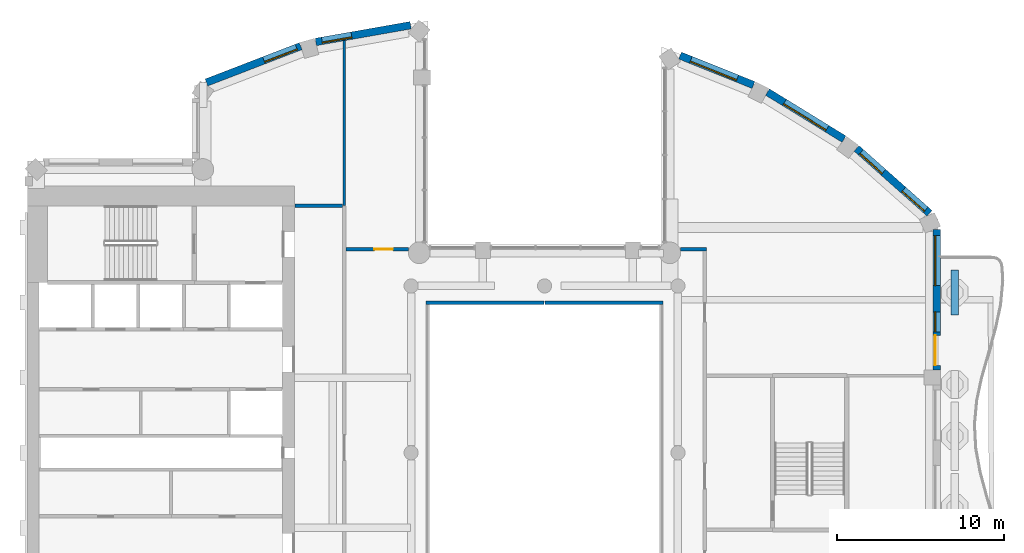
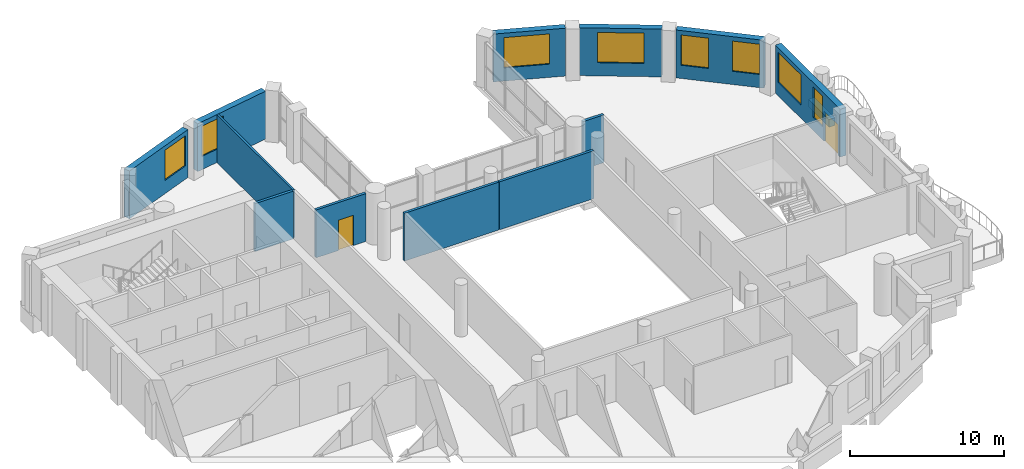
# One storey, part 8 of 15: 13 walls, 8 windows, 2 doors, 10 openings.
"""IFC4 building model written with IfcOpenShell, lengths in metres."""

import ifcopenshell
import ifcopenshell.guid

model = None  # the IFC model being written
_history = None  # IfcOwnerHistory: only IFC2X3 demands one
_inside = {}  # id of a spatial element -> (the spatial element, [elements in it])
_under = {}  # id of a project, library or spatial element -> (it, [spatial elements below it])
_declared = {}  # id of a project -> (the project, [libraries it declares])
_typed = {}  # id of a type object -> (the type object, [elements of that type])
_made_of = {}  # id of a material, layer set ... -> (it, [elements and type objects made of it])


def new_model(schema):
    """Start an empty IFC model of exactly this schema.

    Asked for "IFC4X3", IfcOpenShell would pick the latest addendum, in which some entities
    have other attributes; the version numbers below select the first issue.
    IFC2X3 requires an IfcOwnerHistory on every rooted entity: one is made here for all.
    """
    global model, _history
    if schema == "IFC4X3":
        model = ifcopenshell.file(schema_version=(4, 3, 0, 0))
    else:
        model = ifcopenshell.file(schema=schema)
    _inside.clear()
    _under.clear()
    _declared.clear()
    _typed.clear()
    _made_of.clear()
    _history = None
    if model.schema == "IFC2X3":
        org = make("IfcOrganization", Name="unknown")
        user = make(
            "IfcPersonAndOrganization",
            ThePerson=make("IfcPerson", FamilyName="unknown"),
            TheOrganization=org,
        )
        app = make(
            "IfcApplication",
            ApplicationDeveloper=org,
            Version="unknown",
            ApplicationFullName="unknown",
            ApplicationIdentifier="unknown",
        )
        _history = make(
            "IfcOwnerHistory",
            OwningUser=user,
            OwningApplication=app,
            ChangeAction="ADDED",
            CreationDate=0,
        )
    return model


def make(cls, **values):
    """One entity of the class cls with the attributes given. An attribute that is None is left unset."""
    return model.create_entity(
        cls, **{name: value for name, value in values.items() if value is not None}
    )


def rooted(cls, **values):
    """An entity with a GlobalId (a new one), such as an element, a storey or a relation."""
    return make(cls, GlobalId=ifcopenshell.guid.new(), OwnerHistory=_history, **values)


def si_unit(unit_type, name, prefix=None):
    """IfcSIUnit, for example si_unit("LENGTHUNIT", "METRE", prefix="MILLI")."""
    return make("IfcSIUnit", UnitType=unit_type, Prefix=prefix, Name=name)


def assignment(units):
    """IfcUnitAssignment: the units of a project."""
    return None if units is None else make("IfcUnitAssignment", Units=units)


def point(xyz):
    """IfcCartesianPoint."""
    return None if xyz is None else make("IfcCartesianPoint", Coordinates=xyz)


def direction(xyz):
    """IfcDirection."""
    return None if xyz is None else make("IfcDirection", DirectionRatios=xyz)


def frame(location, z_axis=None, x_axis=None):
    """IfcAxis2Placement3D, a coordinate frame: its origin and axes. An axis left out is left unset."""
    return make(
        "IfcAxis2Placement3D",
        Location=point(location),
        Axis=direction(z_axis),
        RefDirection=direction(x_axis),
    )


def frame_2d(location, x_axis=None):
    """IfcAxis2Placement2D, a coordinate frame in the plane: its origin and x axis."""
    return make(
        "IfcAxis2Placement2D", Location=point(location), RefDirection=direction(x_axis)
    )


def origin():
    """The frame at (0, 0, 0) with its axes left unset."""
    return frame((0.0, 0.0, 0.0))


def place(relative_to, where):
    """IfcLocalPlacement: puts the frame where relative to a parent placement (None: the world)."""
    return make(
        "IfcLocalPlacement", PlacementRelTo=relative_to, RelativePlacement=where
    )


def context(
    kind, dimensions, precision=None, world=None, true_north=None, identifier=None
):
    """IfcGeometricRepresentationContext, for example the 3D "Model" context."""
    return make(
        "IfcGeometricRepresentationContext",
        ContextIdentifier=identifier,
        ContextType=kind,
        CoordinateSpaceDimension=dimensions,
        Precision=precision,
        WorldCoordinateSystem=world,
        TrueNorth=true_north,
    )


def subcontext(parent, identifier, kind, view, scale=None):
    """IfcGeometricRepresentationSubContext, for example "Body" below "Model"."""
    return make(
        "IfcGeometricRepresentationSubContext",
        ContextIdentifier=identifier,
        ContextType=kind,
        ParentContext=parent,
        TargetScale=scale,
        TargetView=view,
    )


def project(units=None, contexts=None):
    """IfcProject with its units and contexts."""
    return rooted(
        "IfcProject",
        Name="project",
        RepresentationContexts=contexts,
        UnitsInContext=assignment(units),
    )


def spatial(cls, under=None, at=None, **own):
    """A site, building, storey or space (cls), placed at a placement, below another one or the project."""
    s = rooted(cls, ObjectPlacement=at, **own)
    if under is not None:
        _under.setdefault(under.id(), (under, []))[1].append(s)
    return s


def profile(cls, at=None, kind="AREA", **sizes):
    """A parametric profile (cls). Its sizes go by their IFC names, for example OverallWidth=200.0."""
    return make(cls, ProfileType=kind, Position=at, **sizes)


def rectangle(**sizes):
    """IfcRectangleProfileDef."""
    return profile("IfcRectangleProfileDef", **sizes)


def extrude(swept, where, along, depth):
    """IfcExtrudedAreaSolid: the profile swept, set in the frame where, extruded along a direction by depth."""
    return make(
        "IfcExtrudedAreaSolid",
        SweptArea=swept,
        Position=where,
        ExtrudedDirection=direction(along),
        Depth=depth,
    )


def shape(context_of_items, identifier, shape_type, items):
    """IfcShapeRepresentation: the items that make up one representation, for example the "Body"."""
    return make(
        "IfcShapeRepresentation",
        ContextOfItems=context_of_items,
        RepresentationIdentifier=identifier,
        RepresentationType=shape_type,
        Items=items,
    )


def material(Name=None, Category=None):
    """IfcMaterial."""
    return make("IfcMaterial", Name=Name, Category=Category)


def layer(
    of_material, thickness, ventilated=None, Name=None, Category=None, Priority=None
):
    """IfcMaterialLayer: one layer of a wall or slab, of a material (None: an air gap)."""
    return make(
        "IfcMaterialLayer",
        Material=of_material,
        LayerThickness=thickness,
        IsVentilated=ventilated,
        Name=Name,
        Category=Category,
        Priority=Priority,
    )


def layer_set(layers, Name=None):
    """IfcMaterialLayerSet."""
    return make("IfcMaterialLayerSet", MaterialLayers=layers, LayerSetName=Name)


def made_of(thing, what):
    """Note that an element or type object is made of a material, layer set ...; save() writes the relation."""
    if what is not None:
        _made_of.setdefault(what.id(), (what, []))[1].append(thing)
    return thing


def type_object(cls, material=None, **own):
    """A type object (cls), such as IfcWallType, which elements share."""
    return made_of(rooted(cls, **own), material)


def element(
    cls,
    number,
    at=None,
    inside=None,
    cuts=None,
    type_object=None,
    material=None,
    context=None,
    identifier="Body",
    shape_type=None,
    held_by="IfcProductDefinitionShape",
    body=None,
    shapes=None,
    **own,
):
    """One element of the class cls, such as IfcWall. Its Tag is "e" and its number.

    at: its placement. inside: the storey or other place that contains it. cuts: it is an
    opening in that element (IfcRelVoidsElement). A single representation is given by context,
    identifier, shape_type and body (its items); several are given by shapes. held_by: the class
    of the entity that holds the representations. save() writes the other relations.
    """
    e = rooted(cls, Tag="e%d" % number, ObjectPlacement=at, **own)
    if body is not None:
        shapes = [shape(context, identifier, shape_type, body)]
    if shapes is not None:
        e.Representation = make(held_by, Representations=shapes)
    if inside is not None:
        _inside.setdefault(inside.id(), (inside, []))[1].append(e)
    if cuts is not None:
        rooted(
            "IfcRelVoidsElement", RelatingBuildingElement=cuts, RelatedOpeningElement=e
        )
    if type_object is not None:
        _typed.setdefault(type_object.id(), (type_object, []))[1].append(e)
    return made_of(e, material)


def fill(opening, filler):
    """IfcRelFillsElement: the door or window that sits in an opening."""
    return rooted(
        "IfcRelFillsElement",
        RelatingOpeningElement=opening,
        RelatedBuildingElement=filler,
    )


def aggregate(whole, parts):
    """IfcRelAggregates: a whole, such as a stair, and the parts it consists of."""
    return rooted("IfcRelAggregates", RelatingObject=whole, RelatedObjects=parts)


def save(model, path):
    """Write the relations noted so far, then the file.

    IfcRelAggregates (storeys below a building ...), IfcRelContainedInSpatialStructure (elements
    in a storey), IfcRelDefinesByType, IfcRelAssociatesMaterial and IfcRelDeclares: one each for
    every whole, place, type object, material and project.
    """
    for whole, parts in _under.values():
        aggregate(whole, parts)
    for where, things in _inside.values():
        rooted(
            "IfcRelContainedInSpatialStructure",
            RelatedElements=things,
            RelatingStructure=where,
        )
    for kind, things in _typed.values():
        rooted("IfcRelDefinesByType", RelatedObjects=things, RelatingType=kind)
    for what, things in _made_of.values():
        rooted("IfcRelAssociatesMaterial", RelatedObjects=things, RelatingMaterial=what)
    for by, libraries in _declared.values():
        rooted("IfcRelDeclares", RelatingContext=by, RelatedDefinitions=libraries)
    model.write(path)


model = new_model("IFC4")

# Units and contexts
model_context = context("Model", 3, precision=1e-05, world=origin(), true_north=direction((0.0, 1.0)))
body_context = subcontext(model_context, "Body", "Model", "MODEL_VIEW")
ifc_project = project(units=[si_unit("LENGTHUNIT", "METRE"), si_unit("AREAUNIT", "SQUARE_METRE"), si_unit("VOLUMEUNIT", "CUBIC_METRE"), si_unit("PLANEANGLEUNIT", "RADIAN"), si_unit("MASSUNIT", "GRAM", prefix="KILO")], contexts=[model_context])

# Site, building, storey
site_placement = place(None, origin())
site = spatial("IfcSite", under=ifc_project, at=site_placement, CompositionType="ELEMENT")
building_placement = place(site_placement, origin())
building = spatial("IfcBuilding", under=site, at=building_placement, Name="Cypress Arch Tower", CompositionType="ELEMENT")
storey_placement = place(building_placement, frame((0.0, 0.0, 243.39990234375)))
storey = spatial("IfcBuildingStorey", under=building, at=storey_placement, Name="L54", CompositionType="ELEMENT", Elevation=243.39990234375)

# Wall
ifc_material_1 = material(Name="Concrete C40/50, waterproofed", Category="concrete")
ifc_layer_1 = layer(ifc_material_1, 0.449951171875)
ifc_layer_set_1 = layer_set([ifc_layer_1], Name="Balcony planter wall PW450")
wall_type_1 = type_object("IfcWallType", Name="Balcony planter wall PW450", PredefinedType="SOLIDWALL", material=ifc_layer_set_1)
wall_1_placement = place(storey_placement, frame((25.60009765625, 8.25, 0.0), z_axis=(0.0, 0.0, 1.0), x_axis=(0.0, 1.0, 0.0)))
element("IfcWall", 1, at=wall_1_placement, inside=storey, type_object=wall_type_1, Name="Balcony planter wall L54-C17.5", PredefinedType="SOLIDWALL", context=body_context, shape_type="SweptSolid", body=[
    extrude(rectangle(XDim=2.699951171875, YDim=0.449951171875, at=frame_2d((1.35009765625, 0.0))), origin(), (0.0, 0.0, 1.0), 0.60009765625),
])

# Wall, opening, window
ifc_material_2 = material(Name="Brick (red buff blend)", Category="masonry")
ifc_layer_2 = layer(ifc_material_2, 0.449951171875)
ifc_layer_set_2 = layer_set([ifc_layer_2], Name="Brick pier and spandrel wall BW450")
wall_type_2 = type_object("IfcWallType", Name="Brick pier and spandrel wall BW450", PredefinedType="SOLIDWALL", material=ifc_layer_set_2)
wall_2_placement = place(storey_placement, frame((-7.028564453125, 25.63232421875, 0.0), z_axis=(0.0, 0.0, 1.0), x_axis=(-0.984797606634, -0.173705710808, 0.0)))
wall_2 = element("IfcWall", 2, at=wall_2_placement, inside=storey, type_object=wall_type_2, Name="Brick wall L54 C03.0", PredefinedType="SOLIDWALL", context=body_context, shape_type="SweptSolid", body=[
    extrude(rectangle(XDim=5.772216796875, YDim=0.449951171875, at=frame_2d((2.88623046875, 0.0))), origin(), (0.0, 0.0, 1.0), 3.800048828125),
])
opening_1_placement = place(wall_2_placement, frame((3.59326171875, 0.0, 1.050048828125)))
opening_1 = element("IfcOpeningElement", 3, at=opening_1_placement, cuts=wall_2, Name="Opening W180O", PredefinedType="OPENING", context=body_context, shape_type="SweptSolid", body=[
    extrude(rectangle(XDim=1.800048828125, YDim=2.39990234375, at=frame_2d((0.89990234375, 1.199951171875))), frame((0.0, 0.23486328125, 0.0), z_axis=(0.0, -1.0, 0.0), x_axis=(1.0, 0.0, 0.0)), (0.0, 0.0, 1.0), 0.469970703125),
])
ifc_material_3 = material(Name="Anodised aluminium, bronze finish, clear low-emissivity double glazing", Category="aluminium")
window_type_1 = type_object("IfcWindowType", Name="Window Office 1800x2400", PartitioningType="SINGLE_PANEL", PredefinedType="WINDOW", material=ifc_material_3)
window_1_placement = place(opening_1_placement, origin())
window_1 = element("IfcWindow", 4, at=window_1_placement, inside=storey, type_object=window_type_1, Name="Window L54 C03.0.2", OverallHeight=2.39990234375, OverallWidth=1.800048828125, PartitioningType="SINGLE_PANEL", PredefinedType="WINDOW", context=body_context, shape_type="SweptSolid", body=[
    extrude(rectangle(XDim=1.800048828125, YDim=2.39990234375, at=frame_2d((0.89990234375, 1.199951171875))), frame((0.0, 0.135009765625, 0.0), z_axis=(0.0, -1.0, 0.0), x_axis=(1.0, 0.0, 0.0)), (0.0, 0.0, 1.0), 0.06005859375),
])
fill(opening_1, window_1)

wall_3_placement = place(storey_placement, frame((-13.6220703125, 24.376953125, 0.0), z_axis=(0.0, 0.0, 1.0), x_axis=(-0.933129259679, -0.359541075164, 0.0)))
wall_3 = element("IfcWall", 5, at=wall_3_placement, inside=storey, type_object=wall_type_2, Name="Brick wall L54 C04.0", PredefinedType="SOLIDWALL", context=body_context, shape_type="SweptSolid", body=[
    extrude(rectangle(XDim=6.05419921875, YDim=0.449951171875, at=frame_2d((3.027099609375, 0.0))), origin(), (0.0, 0.0, 1.0), 3.800048828125),
])
opening_2_placement = place(wall_3_placement, frame((0.260986328125, 0.0, 1.050048828125)))
opening_2 = element("IfcOpeningElement", 6, at=opening_2_placement, cuts=wall_3, Name="Opening W210O", PredefinedType="OPENING", context=body_context, shape_type="SweptSolid", body=[
    extrude(rectangle(XDim=2.10009765625, YDim=2.39990234375, at=frame_2d((1.050048828125, 1.199951171875))), frame((0.0, 0.23486328125, 0.0), z_axis=(0.0, -1.0, 0.0), x_axis=(1.0, 0.0, 0.0)), (0.0, 0.0, 1.0), 0.469970703125),
])
ifc_material_4 = material(Name="Anodised aluminium, bronze finish, clear low-emissivity double glazing", Category="aluminium")
window_type_2 = type_object("IfcWindowType", Name="Window Office 2100x2400", PartitioningType="SINGLE_PANEL", PredefinedType="WINDOW", material=ifc_material_4)
window_2_placement = place(opening_2_placement, origin())
window_2 = element("IfcWindow", 7, at=window_2_placement, inside=storey, type_object=window_type_2, Name="Window L54 C04.0.1", OverallHeight=2.39990234375, OverallWidth=2.10009765625, PartitioningType="SINGLE_PANEL", PredefinedType="WINDOW", context=body_context, shape_type="SweptSolid", body=[
    extrude(rectangle(XDim=2.10009765625, YDim=2.39990234375, at=frame_2d((1.050048828125, 1.199951171875))), frame((0.0, 0.135009765625, 0.0), z_axis=(0.0, -1.0, 0.0), x_axis=(1.0, 0.0, 0.0)), (0.0, 0.0, 1.0), 0.06005859375),
])
fill(opening_2, window_2)

# Wall, openings, door, windows
wall_4_placement = place(storey_placement, frame((24.52490234375, 4.949951171875, 0.0), z_axis=(0.0, 0.0, 1.0), x_axis=(0.0, 1.0, 0.0)))
wall_4 = element("IfcWall", 8, at=wall_4_placement, inside=storey, type_object=wall_type_2, Name="Brick wall L54 C17.2", PredefinedType="SOLIDWALL", context=body_context, shape_type="SweptSolid", body=[
    extrude(rectangle(XDim=8.421875, YDim=0.449951171875, at=frame_2d((4.2109375, 0.0))), origin(), (0.0, 0.0, 1.0), 3.800048828125),
])
opening_3_placement = place(wall_4_placement, frame((0.291259765625, 0.0, 0.0)))
opening_3 = element("IfcOpeningElement", 9, at=opening_3_placement, cuts=wall_4, Name="Opening D-L54-C17.2.1", PredefinedType="OPENING", context=body_context, shape_type="SweptSolid", body=[
    extrude(rectangle(XDim=1.800048828125, YDim=2.39990234375, at=frame_2d((0.89990234375, 1.199951171875))), frame((0.0, 0.23486328125, 0.0), z_axis=(0.0, -1.0, 0.0), x_axis=(1.0, 0.0, 0.0)), (0.0, 0.0, 1.0), 0.469970703125),
])
opening_4_placement = place(wall_4_placement, frame((2.291259765625, 0.0, 1.050048828125)))
opening_4 = element("IfcOpeningElement", 10, at=opening_4_placement, cuts=wall_4, Name="Opening W120OD", PredefinedType="OPENING", context=body_context, shape_type="SweptSolid", body=[
    extrude(rectangle(XDim=1.199951171875, YDim=2.39990234375, at=frame_2d((0.60009765625, 1.199951171875))), frame((0.0, 0.23486328125, 0.0), z_axis=(0.0, -1.0, 0.0), x_axis=(1.0, 0.0, 0.0)), (0.0, 0.0, 1.0), 0.469970703125),
])
opening_5_placement = place(wall_4_placement, frame((5.073974609375, 0.0, 1.050048828125)))
opening_5 = element("IfcOpeningElement", 11, at=opening_5_placement, cuts=wall_4, Name="Opening W300OD", PredefinedType="OPENING", context=body_context, shape_type="SweptSolid", body=[
    extrude(rectangle(XDim=3.0, YDim=2.39990234375, at=frame_2d((1.5, 1.199951171875))), frame((0.0, 0.23486328125, 0.0), z_axis=(0.0, -1.0, 0.0), x_axis=(1.0, 0.0, 0.0)), (0.0, 0.0, 1.0), 0.469970703125),
])
ifc_material_5 = material(Name="Anodised aluminium, bronze finish, laminated low-emissivity double glazing, large-missile impact rated", Category="aluminium")
door_type_1 = type_object("IfcDoorType", Name="Balcony sliding door 1800x2400", OperationType="SLIDING_TO_LEFT", PredefinedType="DOOR", material=ifc_material_5)
door_1_placement = place(opening_3_placement, origin())
door_1 = element("IfcDoor", 12, at=door_1_placement, inside=storey, type_object=door_type_1, Name="Balcony door L54 C17.2.1", OperationType="SLIDING_TO_LEFT", OverallHeight=2.39990234375, OverallWidth=1.800048828125, PredefinedType="DOOR", context=body_context, shape_type="SweptSolid", body=[
    extrude(rectangle(XDim=1.800048828125, YDim=2.39990234375, at=frame_2d((0.89990234375, 1.199951171875))), frame((0.0, 0.1298828125, 0.0), z_axis=(0.0, -1.0, 0.0), x_axis=(1.0, 0.0, 0.0)), (0.0, 0.0, 1.0), 0.050048828125),
])
fill(opening_3, door_1)
ifc_material_6 = material(Name="Anodised aluminium, bronze finish, laminated low-emissivity double glazing, large-missile impact rated", Category="aluminium")
window_type_3 = type_object("IfcWindowType", Name="Window Office 1200x2400 debris-rated", PartitioningType="SINGLE_PANEL", PredefinedType="WINDOW", material=ifc_material_6)
window_3_placement = place(opening_4_placement, origin())
window_3 = element("IfcWindow", 13, at=window_3_placement, inside=storey, type_object=window_type_3, Name="Window L54 C17.2.1", OverallHeight=2.39990234375, OverallWidth=1.199951171875, PartitioningType="SINGLE_PANEL", PredefinedType="WINDOW", context=body_context, shape_type="SweptSolid", body=[
    extrude(rectangle(XDim=1.199951171875, YDim=2.39990234375, at=frame_2d((0.60009765625, 1.199951171875))), frame((0.0, 0.135009765625, 0.0), z_axis=(0.0, -1.0, 0.0), x_axis=(1.0, 0.0, 0.0)), (0.0, 0.0, 1.0), 0.06005859375),
])
fill(opening_4, window_3)
ifc_material_7 = material(Name="Anodised aluminium, bronze finish, laminated low-emissivity double glazing, large-missile impact rated", Category="aluminium")
window_type_4 = type_object("IfcWindowType", Name="Window Office 3000x2400 debris-rated", PartitioningType="SINGLE_PANEL", PredefinedType="WINDOW", material=ifc_material_7)
window_4_placement = place(opening_5_placement, origin())
window_4 = element("IfcWindow", 14, at=window_4_placement, inside=storey, type_object=window_type_4, Name="Window L54 C17.2.2", OverallHeight=2.39990234375, OverallWidth=3.0, PartitioningType="SINGLE_PANEL", PredefinedType="WINDOW", context=body_context, shape_type="SweptSolid", body=[
    extrude(rectangle(XDim=3.0, YDim=2.39990234375, at=frame_2d((1.5, 1.199951171875))), frame((0.0, 0.135009765625, 0.0), z_axis=(0.0, -1.0, 0.0), x_axis=(1.0, 0.0, 0.0)), (0.0, 0.0, 1.0), 0.06005859375),
])
fill(opening_5, window_4)

# Wall, openings, windows
wall_5_placement = place(storey_placement, frame((24.08056640625, 14.361083984375, 0.0), z_axis=(0.0, 0.0, 1.0), x_axis=(-0.747570482973, 0.664182484704, 0.0)))
wall_5 = element("IfcWall", 15, at=wall_5_placement, inside=storey, type_object=wall_type_2, Name="Brick wall L54 C18.0", PredefinedType="SOLIDWALL", context=body_context, shape_type="SweptSolid", body=[
    extrude(rectangle(XDim=5.849609375, YDim=0.449951171875, at=frame_2d((2.9248046875, 0.0))), origin(), (0.0, 0.0, 1.0), 3.800048828125),
])
opening_6_placement = place(wall_5_placement, frame((0.305419921875, 0.0, 1.050048828125)))
opening_6 = element("IfcOpeningElement", 16, at=opening_6_placement, cuts=wall_5, Name="Opening W180O", PredefinedType="OPENING", context=body_context, shape_type="SweptSolid", body=[
    extrude(rectangle(XDim=1.800048828125, YDim=2.39990234375, at=frame_2d((0.89990234375, 1.199951171875))), frame((0.0, 0.23486328125, 0.0), z_axis=(0.0, -1.0, 0.0), x_axis=(1.0, 0.0, 0.0)), (0.0, 0.0, 1.0), 0.469970703125),
])
opening_7_placement = place(wall_5_placement, frame((3.702880859375, 0.0, 1.050048828125)))
opening_7 = element("IfcOpeningElement", 17, at=opening_7_placement, cuts=wall_5, Name="Opening W180O", PredefinedType="OPENING", context=body_context, shape_type="SweptSolid", body=[
    extrude(rectangle(XDim=1.800048828125, YDim=2.39990234375, at=frame_2d((0.89990234375, 1.199951171875))), frame((0.0, 0.23486328125, 0.0), z_axis=(0.0, -1.0, 0.0), x_axis=(1.0, 0.0, 0.0)), (0.0, 0.0, 1.0), 0.469970703125),
])
window_5_placement = place(opening_6_placement, origin())
window_5 = element("IfcWindow", 18, at=window_5_placement, inside=storey, type_object=window_type_1, Name="Window L54 C18.0.1", OverallHeight=2.39990234375, OverallWidth=1.800048828125, PartitioningType="SINGLE_PANEL", PredefinedType="WINDOW", context=body_context, shape_type="SweptSolid", body=[
    extrude(rectangle(XDim=1.800048828125, YDim=2.39990234375, at=frame_2d((0.89990234375, 1.199951171875))), frame((0.0, 0.135009765625, 0.0), z_axis=(0.0, -1.0, 0.0), x_axis=(1.0, 0.0, 0.0)), (0.0, 0.0, 1.0), 0.06005859375),
])
fill(opening_6, window_5)
window_6_placement = place(opening_7_placement, origin())
window_6 = element("IfcWindow", 19, at=window_6_placement, inside=storey, type_object=window_type_1, Name="Window L54 C18.0.2", OverallHeight=2.39990234375, OverallWidth=1.800048828125, PartitioningType="SINGLE_PANEL", PredefinedType="WINDOW", context=body_context, shape_type="SweptSolid", body=[
    extrude(rectangle(XDim=1.800048828125, YDim=2.39990234375, at=frame_2d((0.89990234375, 1.199951171875))), frame((0.0, 0.135009765625, 0.0), z_axis=(0.0, -1.0, 0.0), x_axis=(1.0, 0.0, 0.0)), (0.0, 0.0, 1.0), 0.06005859375),
])
fill(opening_7, window_6)

# Wall, opening, window
wall_6_placement = place(storey_placement, frame((18.953369140625, 18.806396484375, 0.0), z_axis=(0.0, 0.0, 1.0), x_axis=(-0.851860664503, 0.523768468193, 0.0)))
wall_6 = element("IfcWall", 20, at=wall_6_placement, inside=storey, type_object=wall_type_2, Name="Brick wall L54 C19.0", PredefinedType="SOLIDWALL", context=body_context, shape_type="SweptSolid", body=[
    extrude(rectangle(XDim=5.3837890625, YDim=0.449951171875, at=frame_2d((2.69189453125, 0.0))), origin(), (0.0, 0.0, 1.0), 3.800048828125),
])
opening_8_placement = place(wall_6_placement, frame((1.19189453125, 0.0, 1.050048828125)))
opening_8 = element("IfcOpeningElement", 21, at=opening_8_placement, cuts=wall_6, Name="Opening W300O", PredefinedType="OPENING", context=body_context, shape_type="SweptSolid", body=[
    extrude(rectangle(XDim=3.0, YDim=2.39990234375, at=frame_2d((1.5, 1.199951171875))), frame((0.0, 0.23486328125, 0.0), z_axis=(0.0, -1.0, 0.0), x_axis=(1.0, 0.0, 0.0)), (0.0, 0.0, 1.0), 0.469970703125),
])
ifc_material_8 = material(Name="Anodised aluminium, bronze finish, clear low-emissivity double glazing", Category="aluminium")
window_type_5 = type_object("IfcWindowType", Name="Window Office 3000x2400", PartitioningType="SINGLE_PANEL", PredefinedType="WINDOW", material=ifc_material_8)
window_7_placement = place(opening_8_placement, origin())
window_7 = element("IfcWindow", 22, at=window_7_placement, inside=storey, type_object=window_type_5, Name="Window L54 C19.0.1", OverallHeight=2.39990234375, OverallWidth=3.0, PartitioningType="SINGLE_PANEL", PredefinedType="WINDOW", context=body_context, shape_type="SweptSolid", body=[
    extrude(rectangle(XDim=3.0, YDim=2.39990234375, at=frame_2d((1.5, 1.199951171875))), frame((0.0, 0.135009765625, 0.0), z_axis=(0.0, -1.0, 0.0), x_axis=(1.0, 0.0, 0.0)), (0.0, 0.0, 1.0), 0.06005859375),
])
fill(opening_8, window_7)

wall_7_placement = place(storey_placement, frame((13.529296875, 22.04833984375, 0.0), z_axis=(0.0, 0.0, 1.0), x_axis=(-0.927957332619, 0.372686448424, 0.0)))
wall_7 = element("IfcWall", 23, at=wall_7_placement, inside=storey, type_object=wall_type_2, Name="Brick wall L54 C20.0", PredefinedType="SOLIDWALL", context=body_context, shape_type="SweptSolid", body=[
    extrude(rectangle(XDim=4.741455078125, YDim=0.449951171875, at=frame_2d((2.37060546875, 0.0))), origin(), (0.0, 0.0, 1.0), 3.800048828125),
])
opening_9_placement = place(wall_7_placement, frame((1.046630859375, 0.0, 1.050048828125)))
opening_9 = element("IfcOpeningElement", 24, at=opening_9_placement, cuts=wall_7, Name="Opening W300O", PredefinedType="OPENING", context=body_context, shape_type="SweptSolid", body=[
    extrude(rectangle(XDim=3.0, YDim=2.39990234375, at=frame_2d((1.5, 1.199951171875))), frame((0.0, 0.23486328125, 0.0), z_axis=(0.0, -1.0, 0.0), x_axis=(1.0, 0.0, 0.0)), (0.0, 0.0, 1.0), 0.469970703125),
])
window_8_placement = place(opening_9_placement, origin())
window_8 = element("IfcWindow", 25, at=window_8_placement, inside=storey, type_object=window_type_5, Name="Window L54 C20.0.1", OverallHeight=2.39990234375, OverallWidth=3.0, PartitioningType="SINGLE_PANEL", PredefinedType="WINDOW", context=body_context, shape_type="SweptSolid", body=[
    extrude(rectangle(XDim=3.0, YDim=2.39990234375, at=frame_2d((1.5, 1.199951171875))), frame((0.0, 0.135009765625, 0.0), z_axis=(0.0, -1.0, 0.0), x_axis=(1.0, 0.0, 0.0)), (0.0, 0.0, 1.0), 0.06005859375),
])
fill(opening_9, window_8)

# Wall
ifc_material_9 = material(Name="Concrete blockwork, plastered, rated", Category="masonry")
ifc_layer_3 = layer(ifc_material_9, 0.199951171875)
ifc_layer_set_3 = layer_set([ifc_layer_3], Name="Corridor wall FW200")
wall_type_3 = type_object("IfcWallType", Name="Corridor wall FW200", PredefinedType="PARTITIONING", material=ifc_layer_set_3)
wall_8_placement = place(storey_placement, frame((-13.969970703125, 14.800048828125, 0.0), z_axis=(0.0, 0.0, 1.0), x_axis=(1.0, 0.0, 0.0)))
element("IfcWall", 26, at=wall_8_placement, inside=storey, type_object=wall_type_3, Name="Corridor wall", PredefinedType="PARTITIONING", context=body_context, shape_type="SweptSolid", body=[
    extrude(rectangle(XDim=2.869873046875, YDim=0.199951171875, at=frame_2d((1.43505859375, 0.0))), origin(), (0.0, 0.0, 1.0), 3.800048828125),
])

# Wall, opening, door
wall_9_placement = place(storey_placement, frame((-10.89990234375, 12.199951171875, 0.0), z_axis=(0.0, 0.0, 1.0), x_axis=(1.0, 0.0, 0.0)))
wall_9 = element("IfcWall", 27, at=wall_9_placement, inside=storey, type_object=wall_type_3, Name="Corridor wall", PredefinedType="PARTITIONING", context=body_context, shape_type="SweptSolid", body=[
    extrude(rectangle(XDim=3.756103515625, YDim=0.199951171875, at=frame_2d((1.8779296875, 0.0))), origin(), (0.0, 0.0, 1.0), 3.800048828125),
])
opening_10_placement = place(wall_9_placement, frame((1.699951171875, 0.0, 0.0)))
opening_10 = element("IfcOpeningElement", 28, at=opening_10_placement, cuts=wall_9, Name="Opening D01", PredefinedType="OPENING", context=body_context, shape_type="SweptSolid", body=[
    extrude(rectangle(XDim=1.10009765625, YDim=2.39990234375, at=frame_2d((0.550048828125, 1.199951171875))), frame((0.0, 0.10986328125, 0.0), z_axis=(0.0, -1.0, 0.0), x_axis=(1.0, 0.0, 0.0)), (0.0, 0.0, 1.0), 0.219970703125),
])
ifc_material_10 = material(Name="Timber flush door, fire resisting, self-closing", Category="wood")
door_type_2 = type_object("IfcDoorType", Name="Unit entrance door D01 1100x2400", OperationType="SINGLE_SWING_LEFT", PredefinedType="DOOR", material=ifc_material_10)
door_2_placement = place(opening_10_placement, origin())
door_2 = element("IfcDoor", 29, at=door_2_placement, inside=storey, type_object=door_type_2, Name="Unit entrance door", OperationType="SINGLE_SWING_RIGHT", OverallHeight=2.39990234375, OverallWidth=1.10009765625, PredefinedType="DOOR", context=body_context, shape_type="SweptSolid", body=[
    extrude(rectangle(XDim=1.10009765625, YDim=2.39990234375, at=frame_2d((0.550048828125, 1.199951171875))), frame((0.0, 0.02490234375, 0.0), z_axis=(0.0, -1.0, 0.0), x_axis=(1.0, 0.0, 0.0)), (0.0, 0.0, 1.0), 0.050048828125),
])
fill(opening_10, door_2)

# Walls
for number, where, z_axis, x_axis, name in (
    (30, (-6.10009765625, 9.0, 0.0), (0.0, 0.0, 1.0), (1.0, 0.0, 0.0), "Corridor wall"),
    (31, (1.02001953125, 9.0, 0.0), (0.0, 0.0, 1.0), (1.0, 0.0, 0.0), "Corridor wall"),
):
    element("IfcWall", number, at=place(storey_placement, frame(where, z_axis=z_axis, x_axis=x_axis)), inside=storey, type_object=wall_type_3, Name=name, PredefinedType="PARTITIONING", context=body_context, shape_type="SweptSolid", body=[
        extrude(rectangle(XDim=7.080078125, YDim=0.199951171875, at=frame_2d((3.5400390625, 0.0))), origin(), (0.0, 0.0, 1.0), 3.800048828125),
    ])
wall_10_placement = place(storey_placement, frame((9.143798828125, 12.199951171875, 0.0), z_axis=(0.0, 0.0, 1.0), x_axis=(1.0, 0.0, 0.0)))
element("IfcWall", 32, at=wall_10_placement, inside=storey, type_object=wall_type_3, Name="Corridor wall", PredefinedType="PARTITIONING", context=body_context, shape_type="SweptSolid", body=[
    extrude(rectangle(XDim=1.55615234375, YDim=0.199951171875, at=frame_2d((0.778076171875, 0.0))), origin(), (0.0, 0.0, 1.0), 3.800048828125),
])
ifc_material_11 = material(Name="Blockwork, plastered both sides", Category="masonry")
ifc_layer_4 = layer(ifc_material_11, 0.14990234375)
ifc_layer_set_4 = layer_set([ifc_layer_4], Name="Partition PW150")
wall_type_4 = type_object("IfcWallType", Name="Partition PW150", PredefinedType="PARTITIONING", material=ifc_layer_set_4)
wall_11_placement = place(storey_placement, frame((-11.0, 14.820068359375, 0.0), z_axis=(0.0, 0.0, 1.0), x_axis=(0.0, 1.0, 0.0)))
element("IfcWall", 33, at=wall_11_placement, inside=storey, type_object=wall_type_4, Name="Partition", PredefinedType="PARTITIONING", context=body_context, shape_type="SweptSolid", body=[
    extrude(rectangle(XDim=9.88330078125, YDim=0.14990234375, at=frame_2d((4.941650390625, 0.0))), origin(), (0.0, 0.0, 1.0), 3.800048828125),
])

save(model, "model.ifc")
